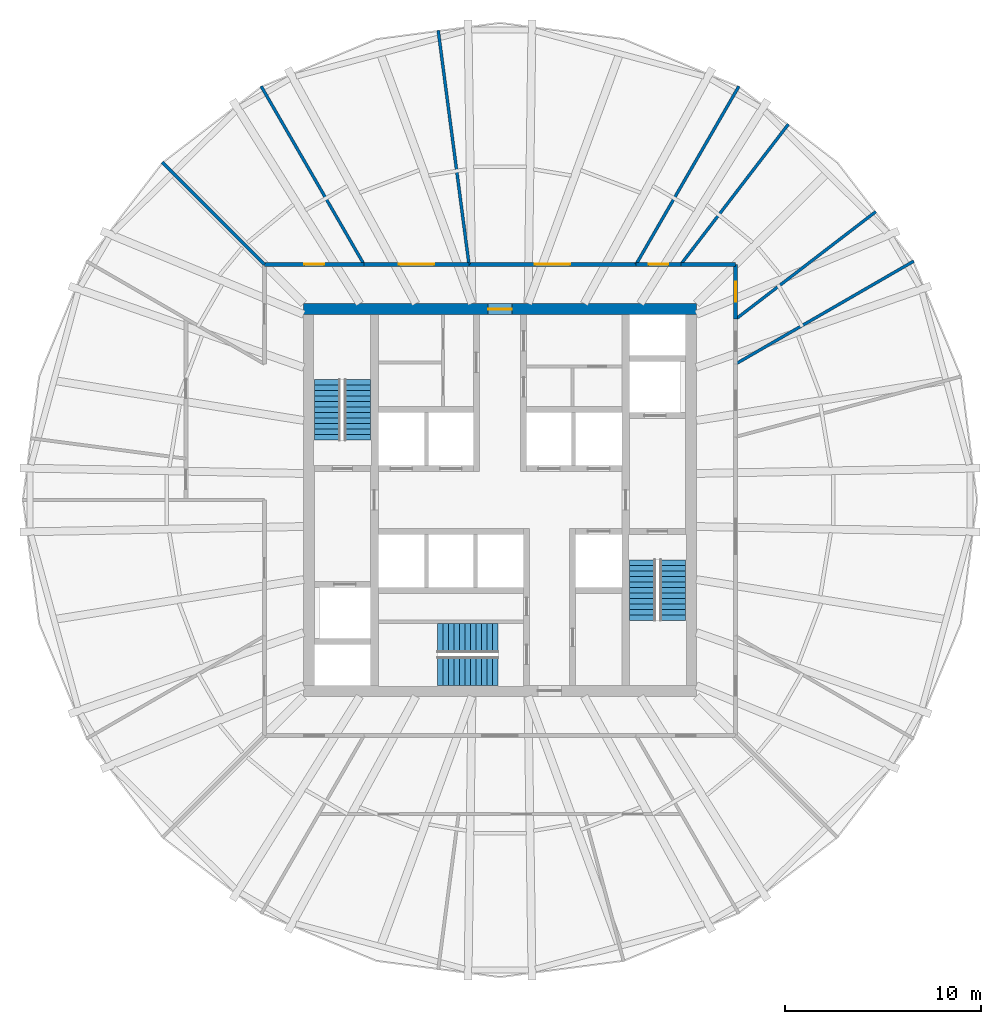
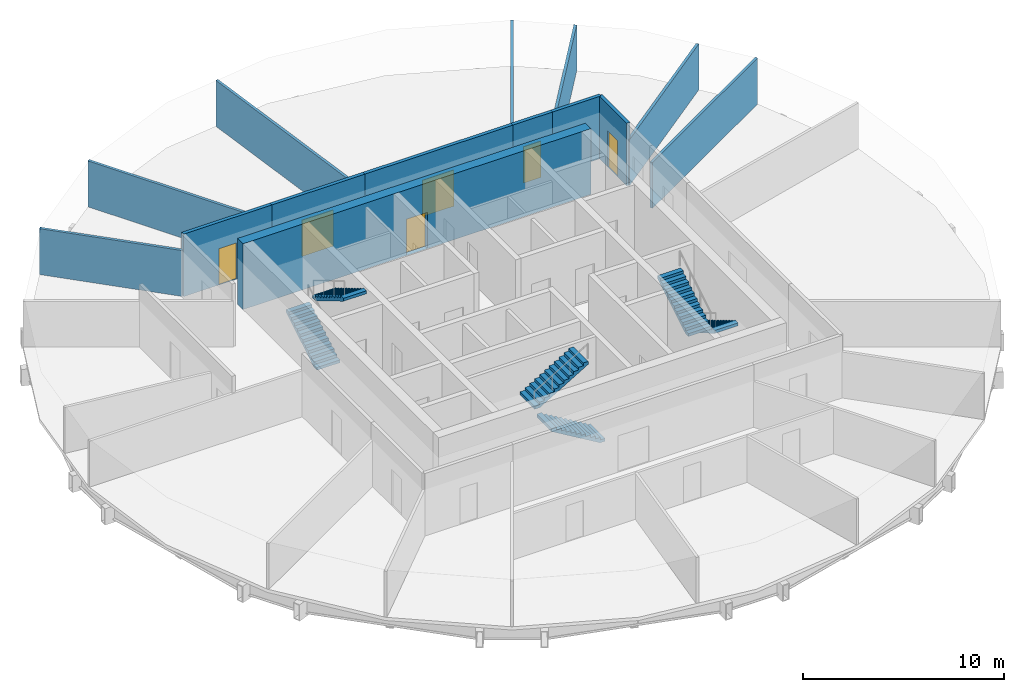
# One storey, part 5 of 6: 14 walls, 6 doors, 6 stair flights, 6 openings, 3 elements without a shape of their own.
"""IFC4 building model written with IfcOpenShell, lengths in metres."""

from ifc_helpers import new_model, si_unit, direction, frame, frame_2d, origin, place, context, subcontext, project, spatial, polyline, rectangle, outline, extrude, material, layer, layer_set, type_object, element, fill, aggregate, save


model = new_model("IFC4")

# Units and contexts
model_context = context("Model", 3, precision=1e-05, world=origin(), true_north=direction((0.0, 1.0)))
body_context = subcontext(model_context, "Body", "Model", "MODEL_VIEW")
ifc_project = project(units=[si_unit("LENGTHUNIT", "METRE"), si_unit("AREAUNIT", "SQUARE_METRE"), si_unit("VOLUMEUNIT", "CUBIC_METRE"), si_unit("PLANEANGLEUNIT", "RADIAN"), si_unit("MASSUNIT", "GRAM", prefix="KILO")], contexts=[model_context])

# Site, building, storey
site_placement = place(None, origin())
site = spatial("IfcSite", under=ifc_project, at=site_placement, CompositionType="ELEMENT")
building_placement = place(site_placement, origin())
building = spatial("IfcBuilding", under=site, at=building_placement, Name="Golbaran Civic Tower", CompositionType="ELEMENT")
storey_placement = place(building_placement, frame((0.0, 0.0, 146.0)))
storey = spatial("IfcBuildingStorey", under=building, at=storey_placement, Name="L35", CompositionType="ELEMENT", Elevation=146.0)

# Wall, opening, door
ifc_material_1 = material(Name="Concrete C50/60", Category="concrete")
ifc_layer_1 = layer(ifc_material_1, 0.550048828125, Name="Concrete C50/60")
ifc_layer_set_1 = layer_set([ifc_layer_1], Name="Concrete C50/60")
wall_type_1 = type_object("IfcWallType", Name="CORE WALL CONCRETE 550", PredefinedType="SOLIDWALL", material=ifc_layer_set_1)
wall_1_placement = place(storey_placement, frame((-10.0, 9.72509765625, 0.0), z_axis=(0.0, 0.0, 1.0), x_axis=(1.0, 0.0, 0.0)))
wall_1 = element("IfcWall", 1, at=wall_1_placement, inside=storey, type_object=wall_type_1, Name="Core wall CN L35", PredefinedType="SOLIDWALL", context=body_context, shape_type="SweptSolid", body=[
    extrude(rectangle(XDim=20.0, YDim=0.550048828125, at=frame_2d((10.0, 0.0))), origin(), (0.0, 0.0, 1.0), 4.0),
])
opening_1_placement = place(wall_1_placement, frame((9.39990234375, 0.0, 0.0)))
opening_1 = element("IfcOpeningElement", 2, at=opening_1_placement, cuts=wall_1, Name="Opening L35.CN", PredefinedType="OPENING", context=body_context, shape_type="SweptSolid", body=[
    extrude(rectangle(XDim=1.199951171875, YDim=2.199951171875, at=frame_2d((0.60009765625, 1.10009765625))), frame((0.0, 0.284912109375, 0.0), z_axis=(0.0, -1.0, 0.0), x_axis=(1.0, 0.0, 0.0)), (0.0, 0.0, 1.0), 0.570068359375),
])
ifc_material_2 = material(Name="Timber door set in steel frame", Category="steel")
door_type_1 = type_object("IfcDoorType", Name="CORE DOOR 1200x2200", OperationType="DOUBLE_DOOR_SINGLE_SWING", PredefinedType="DOOR", material=ifc_material_2)
door_1_placement = place(opening_1_placement, origin())
door_1 = element("IfcDoor", 3, at=door_1_placement, inside=storey, type_object=door_type_1, Name="Core door north", OperationType="DOUBLE_DOOR_SINGLE_SWING", OverallHeight=2.199951171875, OverallWidth=1.199951171875, PredefinedType="DOOR", context=body_context, shape_type="SweptSolid", body=[
    extrude(rectangle(XDim=1.199951171875, YDim=2.199951171875, at=frame_2d((0.60009765625, 1.10009765625))), frame((0.0, 0.02490234375, 0.0), z_axis=(0.0, -1.0, 0.0), x_axis=(1.0, 0.0, 0.0)), (0.0, 0.0, 1.0), 0.050048828125),
])
fill(opening_1, door_1)

ifc_material_3 = material(Name="Gypsum board on steel studs, fire-rated", Category="steel")
ifc_layer_2 = layer(ifc_material_3, 0.199951171875, Name="Gypsum board on steel studs, fire-rated")
ifc_layer_set_2 = layer_set([ifc_layer_2], Name="Gypsum board on steel studs, fire-rated")
wall_type_2 = type_object("IfcWallType", Name="CORRIDOR WALL 200", PredefinedType="PARTITIONING", material=ifc_layer_set_2)
wall_2_placement = place(storey_placement, frame((12.0, 9.2080078125, 0.0), z_axis=(0.0, 0.0, 1.0), x_axis=(0.0, 1.0, 0.0)))
wall_2 = element("IfcWall", 4, at=wall_2_placement, inside=storey, type_object=wall_type_2, Name="Corridor wall L35", PredefinedType="PARTITIONING", context=body_context, shape_type="SweptSolid", body=[
    extrude(rectangle(XDim=2.7919921875, YDim=0.199951171875, at=frame_2d((1.39599609375, 0.0))), origin(), (0.0, 0.0, 1.0), 3.800048828125),
])
opening_2_placement = place(wall_2_placement, frame((0.89599609375, 0.0, 0.0)))
opening_2 = element("IfcOpeningElement", 5, at=opening_2_placement, cuts=wall_2, Name="Opening L35.10", PredefinedType="OPENING", context=body_context, shape_type="SweptSolid", body=[
    extrude(rectangle(XDim=1.0, YDim=2.199951171875, at=frame_2d((0.5, 1.10009765625))), frame((0.0, 0.10986328125, 0.0), z_axis=(0.0, -1.0, 0.0), x_axis=(1.0, 0.0, 0.0)), (0.0, 0.0, 1.0), 0.219970703125),
])
door_type_2 = type_object("IfcDoorType", Name="OFFICE DOOR 1000x2200", OperationType="SINGLE_SWING_LEFT", PredefinedType="DOOR", material=ifc_material_2)
door_2_placement = place(opening_2_placement, origin())
door_2 = element("IfcDoor", 6, at=door_2_placement, inside=storey, type_object=door_type_2, Name="Prayer Room door L35", OperationType="SINGLE_SWING_LEFT", OverallHeight=2.199951171875, OverallWidth=1.0, PredefinedType="DOOR", context=body_context, shape_type="SweptSolid", body=[
    extrude(rectangle(XDim=1.0, YDim=2.199951171875, at=frame_2d((0.5, 1.10009765625))), frame((0.0, 0.02490234375, 0.0), z_axis=(0.0, -1.0, 0.0), x_axis=(1.0, 0.0, 0.0)), (0.0, 0.0, 1.0), 0.050048828125),
])
fill(opening_2, door_2)

# Wall
wall_3_placement = place(storey_placement, frame((12.0, 12.0, 0.0), z_axis=(0.0, 0.0, 1.0), x_axis=(-1.0, 0.0, 0.0)))
element("IfcWall", 7, at=wall_3_placement, inside=storey, type_object=wall_type_2, Name="Corridor wall L35", PredefinedType="PARTITIONING", context=body_context, shape_type="SweptSolid", body=[
    extrude(rectangle(XDim=2.7919921875, YDim=0.199951171875, at=frame_2d((1.39599609375, 0.0))), origin(), (0.0, 0.0, 1.0), 3.800048828125),
])

# Wall, opening, door
wall_4_placement = place(storey_placement, frame((9.2080078125, 12.0, 0.0), z_axis=(0.0, 0.0, 1.0), x_axis=(-1.0, 0.0, 0.0)))
wall_4 = element("IfcWall", 8, at=wall_4_placement, inside=storey, type_object=wall_type_2, Name="Corridor wall L35", PredefinedType="PARTITIONING", context=body_context, shape_type="SweptSolid", body=[
    extrude(rectangle(XDim=2.27978515625, YDim=0.199951171875, at=frame_2d((1.139892578125, 0.0))), origin(), (0.0, 0.0, 1.0), 3.800048828125),
])
opening_3_placement = place(wall_4_placement, frame((0.639892578125, 0.0, 0.0)))
opening_3 = element("IfcOpeningElement", 9, at=opening_3_placement, cuts=wall_4, Name="Opening L35.11", PredefinedType="OPENING", context=body_context, shape_type="SweptSolid", body=[
    extrude(rectangle(XDim=1.0, YDim=2.199951171875, at=frame_2d((0.5, 1.10009765625))), frame((0.0, 0.10986328125, 0.0), z_axis=(0.0, -1.0, 0.0), x_axis=(1.0, 0.0, 0.0)), (0.0, 0.0, 1.0), 0.219970703125),
])
door_3_placement = place(opening_3_placement, origin())
door_3 = element("IfcDoor", 10, at=door_3_placement, inside=storey, type_object=door_type_2, Name="Store door L35", OperationType="SINGLE_SWING_RIGHT", OverallHeight=2.199951171875, OverallWidth=1.0, PredefinedType="DOOR", context=body_context, shape_type="SweptSolid", body=[
    extrude(rectangle(XDim=1.0, YDim=2.199951171875, at=frame_2d((0.5, 1.10009765625))), frame((0.0, 0.02490234375, 0.0), z_axis=(0.0, -1.0, 0.0), x_axis=(1.0, 0.0, 0.0)), (0.0, 0.0, 1.0), 0.050048828125),
])
fill(opening_3, door_3)

wall_5_placement = place(storey_placement, frame((6.92822265625, 12.0, 0.0), z_axis=(0.0, 0.0, 1.0), x_axis=(-1.0, 0.0, 0.0)))
wall_5 = element("IfcWall", 11, at=wall_5_placement, inside=storey, type_object=wall_type_2, Name="Corridor wall L35", PredefinedType="PARTITIONING", context=body_context, shape_type="SweptSolid", body=[
    extrude(rectangle(XDim=8.508056640625, YDim=0.199951171875, at=frame_2d((4.25390625, 0.0))), origin(), (0.0, 0.0, 1.0), 3.800048828125),
])
opening_4_placement = place(wall_5_placement, frame((3.35400390625, 0.0, 0.0)))
opening_4 = element("IfcOpeningElement", 12, at=opening_4_placement, cuts=wall_5, Name="Opening L35.12", PredefinedType="OPENING", context=body_context, shape_type="SweptSolid", body=[
    extrude(rectangle(XDim=1.800048828125, YDim=2.199951171875, at=frame_2d((0.89990234375, 1.10009765625))), frame((0.0, 0.10986328125, 0.0), z_axis=(0.0, -1.0, 0.0), x_axis=(1.0, 0.0, 0.0)), (0.0, 0.0, 1.0), 0.219970703125),
])
door_type_3 = type_object("IfcDoorType", Name="OFFICE DOUBLE DOOR 1800x2200", OperationType="DOUBLE_DOOR_SINGLE_SWING", PredefinedType="DOOR", material=ifc_material_2)
door_4_placement = place(opening_4_placement, origin())
door_4 = element("IfcDoor", 13, at=door_4_placement, inside=storey, type_object=door_type_3, Name="Open Office door L35", OperationType="DOUBLE_DOOR_SINGLE_SWING", OverallHeight=2.199951171875, OverallWidth=1.800048828125, PredefinedType="DOOR", context=body_context, shape_type="SweptSolid", body=[
    extrude(rectangle(XDim=1.800048828125, YDim=2.199951171875, at=frame_2d((0.89990234375, 1.10009765625))), frame((0.0, 0.02490234375, 0.0), z_axis=(0.0, -1.0, 0.0), x_axis=(1.0, 0.0, 0.0)), (0.0, 0.0, 1.0), 0.050048828125),
])
fill(opening_4, door_4)

wall_6_placement = place(storey_placement, frame((-1.579833984375, 12.0, 0.0), z_axis=(0.0, 0.0, 1.0), x_axis=(-1.0, 0.0, 0.0)))
wall_6 = element("IfcWall", 14, at=wall_6_placement, inside=storey, type_object=wall_type_2, Name="Corridor wall L35", PredefinedType="PARTITIONING", context=body_context, shape_type="SweptSolid", body=[
    extrude(rectangle(XDim=5.348388671875, YDim=0.199951171875, at=frame_2d((2.67431640625, 0.0))), origin(), (0.0, 0.0, 1.0), 3.800048828125),
])
opening_5_placement = place(wall_6_placement, frame((1.774169921875, 0.0, 0.0)))
opening_5 = element("IfcOpeningElement", 15, at=opening_5_placement, cuts=wall_6, Name="Opening L35.13", PredefinedType="OPENING", context=body_context, shape_type="SweptSolid", body=[
    extrude(rectangle(XDim=1.800048828125, YDim=2.199951171875, at=frame_2d((0.89990234375, 1.10009765625))), frame((0.0, 0.10986328125, 0.0), z_axis=(0.0, -1.0, 0.0), x_axis=(1.0, 0.0, 0.0)), (0.0, 0.0, 1.0), 0.219970703125),
])
door_5_placement = place(opening_5_placement, origin())
door_5 = element("IfcDoor", 16, at=door_5_placement, inside=storey, type_object=door_type_3, Name="Open Office door L35", OperationType="DOUBLE_DOOR_SINGLE_SWING", OverallHeight=2.199951171875, OverallWidth=1.800048828125, PredefinedType="DOOR", context=body_context, shape_type="SweptSolid", body=[
    extrude(rectangle(XDim=1.800048828125, YDim=2.199951171875, at=frame_2d((0.89990234375, 1.10009765625))), frame((0.0, 0.02490234375, 0.0), z_axis=(0.0, -1.0, 0.0), x_axis=(1.0, 0.0, 0.0)), (0.0, 0.0, 1.0), 0.050048828125),
])
fill(opening_5, door_5)

wall_7_placement = place(storey_placement, frame((-6.92822265625, 12.0, 0.0), z_axis=(0.0, 0.0, 1.0), x_axis=(-1.0, 0.0, 0.0)))
wall_7 = element("IfcWall", 17, at=wall_7_placement, inside=storey, type_object=wall_type_2, Name="Corridor wall L35", PredefinedType="PARTITIONING", context=body_context, shape_type="SweptSolid", body=[
    extrude(rectangle(XDim=5.07177734375, YDim=0.199951171875, at=frame_2d((2.535888671875, 0.0))), origin(), (0.0, 0.0, 1.0), 3.800048828125),
])
opening_6_placement = place(wall_7_placement, frame((2.035888671875, 0.0, 0.0)))
opening_6 = element("IfcOpeningElement", 18, at=opening_6_placement, cuts=wall_7, Name="Opening L35.14", PredefinedType="OPENING", context=body_context, shape_type="SweptSolid", body=[
    extrude(rectangle(XDim=1.0, YDim=2.199951171875, at=frame_2d((0.5, 1.10009765625))), frame((0.0, 0.10986328125, 0.0), z_axis=(0.0, -1.0, 0.0), x_axis=(1.0, 0.0, 0.0)), (0.0, 0.0, 1.0), 0.219970703125),
])
door_6_placement = place(opening_6_placement, origin())
door_6 = element("IfcDoor", 19, at=door_6_placement, inside=storey, type_object=door_type_2, Name="Interview Room door L35", OperationType="SINGLE_SWING_RIGHT", OverallHeight=2.199951171875, OverallWidth=1.0, PredefinedType="DOOR", context=body_context, shape_type="SweptSolid", body=[
    extrude(rectangle(XDim=1.0, YDim=2.199951171875, at=frame_2d((0.5, 1.10009765625))), frame((0.0, 0.02490234375, 0.0), z_axis=(0.0, -1.0, 0.0), x_axis=(1.0, 0.0, 0.0)), (0.0, 0.0, 1.0), 0.050048828125),
])
fill(opening_6, door_6)

# Walls
ifc_material_4 = material(Name="Gypsum board on steel studs", Category="steel")
ifc_layer_3 = layer(ifc_material_4, 0.14990234375, Name="Gypsum board on steel studs")
ifc_layer_set_3 = layer_set([ifc_layer_3], Name="Gypsum board on steel studs")
wall_type_3 = type_object("IfcWallType", Name="OFFICE PARTITION 150", PredefinedType="PARTITIONING", material=ifc_layer_set_3)
wall_8_placement = place(storey_placement, frame((12.0, 6.92822265625, 0.0), z_axis=(0.0, 0.0, 1.0), x_axis=(0.866029212144, 0.49999340367, 0.0)))
element("IfcWall", 20, at=wall_8_placement, inside=storey, type_object=wall_type_3, Name="Partition 30 L35", PredefinedType="PARTITIONING", context=body_context, shape_type="SweptSolid", body=[
    extrude(rectangle(XDim=10.477783203125, YDim=0.14990234375, at=frame_2d((5.23876953125, 0.0))), origin(), (0.0, 0.0, 1.0), 2.7900390625),
])
for number, where, z_axis, x_axis, name in (
    (21, (12.0, 9.2080078125, 0.0), (0.0, 0.0, 1.0), (0.79335350297, 0.608761217002, 0.0), "Partition 37.5 L35"),
    (22, (9.2080078125, 12.0, 0.0), (0.0, 0.0, 1.0), (0.608761217002, 0.79335350297, 0.0), "Partition 52.5 L35"),
):
    element("IfcWall", number, at=place(storey_placement, frame(where, z_axis=z_axis, x_axis=x_axis)), inside=storey, type_object=wall_type_3, Name=name, PredefinedType="PARTITIONING", context=body_context, shape_type="SweptSolid", body=[
        extrude(rectangle(XDim=9.000244140625, YDim=0.14990234375, at=frame_2d((4.5, 0.0))), origin(), (0.0, 0.0, 1.0), 2.7900390625),
    ])
wall_9_placement = place(storey_placement, frame((6.92822265625, 12.0, 0.0), z_axis=(0.0, 0.0, 1.0), x_axis=(0.49999340367, 0.866029212144, 0.0)))
element("IfcWall", 23, at=wall_9_placement, inside=storey, type_object=wall_type_3, Name="Partition 60 L35", PredefinedType="PARTITIONING", context=body_context, shape_type="SweptSolid", body=[
    extrude(rectangle(XDim=10.477783203125, YDim=0.14990234375, at=frame_2d((5.23876953125, 0.0))), origin(), (0.0, 0.0, 1.0), 2.7900390625),
])
wall_10_placement = place(storey_placement, frame((-1.579833984375, 12.0, 0.0), z_axis=(0.0, 0.0, 1.0), x_axis=(-0.130532781527, 0.991443993853, 0.0)))
element("IfcWall", 24, at=wall_10_placement, inside=storey, type_object=wall_type_3, Name="Partition 97.5 L35", PredefinedType="PARTITIONING", context=body_context, shape_type="SweptSolid", body=[
    extrude(rectangle(XDim=12.0224609375, YDim=0.14990234375, at=frame_2d((6.01123046875, 0.0))), origin(), (0.0, 0.0, 1.0), 2.7900390625),
])
wall_11_placement = place(storey_placement, frame((-6.92822265625, 12.0, 0.0), z_axis=(0.0, 0.0, 1.0), x_axis=(-0.49999340367, 0.866029212144, 0.0)))
element("IfcWall", 25, at=wall_11_placement, inside=storey, type_object=wall_type_3, Name="Partition 120 L35", PredefinedType="PARTITIONING", context=body_context, shape_type="SweptSolid", body=[
    extrude(rectangle(XDim=10.477783203125, YDim=0.14990234375, at=frame_2d((5.23876953125, 0.0))), origin(), (0.0, 0.0, 1.0), 2.7900390625),
])
wall_12_placement = place(storey_placement, frame((-12.0, 12.0, 0.0), z_axis=(0.0, 0.0, 1.0), x_axis=(-0.707106781187, 0.707106781187, 0.0)))
element("IfcWall", 26, at=wall_12_placement, inside=storey, type_object=wall_type_3, Name="Partition 135 L35", PredefinedType="PARTITIONING", context=body_context, shape_type="SweptSolid", body=[
    extrude(rectangle(XDim=7.363525390625, YDim=0.14990234375, at=frame_2d((3.681640625, 0.0))), origin(), (0.0, 0.0, 1.0), 2.7900390625),
])

# Stair, stair flights
ifc_material_5 = material(Name="Concrete C35/45", Category="concrete")
stair_type_1 = type_object("IfcStairType", Name="EXIT STAIR 2850 x 7700, 4000 RISE", PredefinedType="HALF_TURN_STAIR", material=ifc_material_5)
stair_1_placement = place(storey_placement, origin())
stair_1 = element("IfcStair", 27, at=stair_1_placement, inside=storey, type_object=stair_type_1, Name="Stair S1 L35", PredefinedType="HALF_TURN_STAIR")
stair_flight_type_1 = type_object("IfcStairFlightType", Name="STAIR FLIGHT 1325 WIDE", PredefinedType="STRAIGHT", material=ifc_material_5)
stair_flight_1_placement = place(storey_placement, frame((-8.78759765625, 3.050048828125, 0.0), z_axis=(0.0, 0.0, 1.0), x_axis=(0.0, 1.0, 0.0)))
stair_flight_1 = element("IfcStairFlight", 28, at=stair_flight_1_placement, type_object=stair_flight_type_1, Name="ST28577-40 flight 1", NumberOfRisers=12, NumberOfTreads=11, PredefinedType="STRAIGHT", RiserHeight=0.166666667, TreadLength=0.28, context=body_context, shape_type="SweptSolid", body=[
    extrude(outline(polyline([(0.0, 0.0), (0.0, 0.166748046875), (0.280029296875, 0.166748046875), (0.280029296875, 0.333251953125), (0.56005859375, 0.333251953125), (0.56005859375, 0.5), (0.840087890625, 0.5), (0.840087890625, 0.666748046875), (1.1201171875, 0.666748046875), (1.1201171875, 0.833251953125), (1.39990234375, 0.833251953125), (1.39990234375, 1.0), (1.679931640625, 1.0), (1.679931640625, 1.166748046875), (1.9599609375, 1.166748046875), (1.9599609375, 1.333251953125), (2.239990234375, 1.333251953125), (2.239990234375, 1.5), (2.52001953125, 1.5), (2.52001953125, 1.666748046875), (2.800048828125, 1.666748046875), (2.800048828125, 1.833251953125), (3.080078125, 1.833251953125), (3.080078125, 2.0), (3.080078125, 1.658935546875), (0.29296875, 0.0), (0.0, 0.0)])), frame((0.0, 0.66259765625, 0.0), z_axis=(0.0, -1.0, 0.0), x_axis=(1.0, 0.0, 0.0)), (0.0, 0.0, 1.0), 1.324951171875),
])
stair_flight_2_placement = place(storey_placement, frame((-7.262451171875, 6.1298828125, 2.0), z_axis=(0.0, 0.0, 1.0), x_axis=(0.0, -1.0, 0.0)))
stair_flight_2 = element("IfcStairFlight", 29, at=stair_flight_2_placement, type_object=stair_flight_type_1, Name="ST28577-40 flight 2", NumberOfRisers=12, NumberOfTreads=11, PredefinedType="STRAIGHT", RiserHeight=0.166666667, TreadLength=0.28, context=body_context, shape_type="SweptSolid", body=[
    extrude(outline(polyline([(0.0, 0.0), (0.0, 0.166748046875), (0.280029296875, 0.166748046875), (0.280029296875, 0.333251953125), (0.56005859375, 0.333251953125), (0.56005859375, 0.5), (0.840087890625, 0.5), (0.840087890625, 0.666748046875), (1.1201171875, 0.666748046875), (1.1201171875, 0.833251953125), (1.39990234375, 0.833251953125), (1.39990234375, 1.0), (1.679931640625, 1.0), (1.679931640625, 1.166748046875), (1.9599609375, 1.166748046875), (1.9599609375, 1.333251953125), (2.239990234375, 1.333251953125), (2.239990234375, 1.5), (2.52001953125, 1.5), (2.52001953125, 1.666748046875), (2.800048828125, 1.666748046875), (2.800048828125, 1.833251953125), (3.080078125, 1.833251953125), (3.080078125, 2.0), (3.080078125, 1.658935546875), (0.29296875, 0.0), (0.0, 0.0)])), frame((0.0, 0.66259765625, 0.0), z_axis=(0.0, -1.0, 0.0), x_axis=(1.0, 0.0, 0.0)), (0.0, 0.0, 1.0), 1.324951171875),
])
aggregate(stair_1, [stair_flight_1, stair_flight_2])

stair_2_placement = place(storey_placement, origin())
stair_2 = element("IfcStair", 30, at=stair_2_placement, inside=storey, type_object=stair_type_1, Name="Stair S2 L35", PredefinedType="HALF_TURN_STAIR")
stair_flight_3_placement = place(storey_placement, frame((8.78759765625, -3.050048828125, 0.0), z_axis=(0.0, 0.0, 1.0), x_axis=(0.0, -1.0, 0.0)))
stair_flight_3 = element("IfcStairFlight", 31, at=stair_flight_3_placement, type_object=stair_flight_type_1, Name="ST28577-40 flight 1", NumberOfRisers=12, NumberOfTreads=11, PredefinedType="STRAIGHT", RiserHeight=0.166666667, TreadLength=0.28, context=body_context, shape_type="SweptSolid", body=[
    extrude(outline(polyline([(0.0, 0.0), (0.0, 0.166748046875), (0.280029296875, 0.166748046875), (0.280029296875, 0.333251953125), (0.56005859375, 0.333251953125), (0.56005859375, 0.5), (0.840087890625, 0.5), (0.840087890625, 0.666748046875), (1.1201171875, 0.666748046875), (1.1201171875, 0.833251953125), (1.39990234375, 0.833251953125), (1.39990234375, 1.0), (1.679931640625, 1.0), (1.679931640625, 1.166748046875), (1.9599609375, 1.166748046875), (1.9599609375, 1.333251953125), (2.239990234375, 1.333251953125), (2.239990234375, 1.5), (2.52001953125, 1.5), (2.52001953125, 1.666748046875), (2.800048828125, 1.666748046875), (2.800048828125, 1.833251953125), (3.080078125, 1.833251953125), (3.080078125, 2.0), (3.080078125, 1.658935546875), (0.29296875, 0.0), (0.0, 0.0)])), frame((0.0, 0.66259765625, 0.0), z_axis=(0.0, -1.0, 0.0), x_axis=(1.0, 0.0, 0.0)), (0.0, 0.0, 1.0), 1.324951171875),
])
stair_flight_4_placement = place(storey_placement, frame((7.262451171875, -6.1298828125, 2.0), z_axis=(0.0, 0.0, 1.0), x_axis=(0.0, 1.0, 0.0)))
stair_flight_4 = element("IfcStairFlight", 32, at=stair_flight_4_placement, type_object=stair_flight_type_1, Name="ST28577-40 flight 2", NumberOfRisers=12, NumberOfTreads=11, PredefinedType="STRAIGHT", RiserHeight=0.166666667, TreadLength=0.28, context=body_context, shape_type="SweptSolid", body=[
    extrude(outline(polyline([(0.0, 0.0), (0.0, 0.166748046875), (0.280029296875, 0.166748046875), (0.280029296875, 0.333251953125), (0.56005859375, 0.333251953125), (0.56005859375, 0.5), (0.840087890625, 0.5), (0.840087890625, 0.666748046875), (1.1201171875, 0.666748046875), (1.1201171875, 0.833251953125), (1.39990234375, 0.833251953125), (1.39990234375, 1.0), (1.679931640625, 1.0), (1.679931640625, 1.166748046875), (1.9599609375, 1.166748046875), (1.9599609375, 1.333251953125), (2.239990234375, 1.333251953125), (2.239990234375, 1.5), (2.52001953125, 1.5), (2.52001953125, 1.666748046875), (2.800048828125, 1.666748046875), (2.800048828125, 1.833251953125), (3.080078125, 1.833251953125), (3.080078125, 2.0), (3.080078125, 1.658935546875), (0.29296875, 0.0), (0.0, 0.0)])), frame((0.0, 0.66259765625, 0.0), z_axis=(0.0, -1.0, 0.0), x_axis=(1.0, 0.0, 0.0)), (0.0, 0.0, 1.0), 1.324951171875),
])
aggregate(stair_2, [stair_flight_3, stair_flight_4])

stair_type_2 = type_object("IfcStairType", Name="EXIT STAIR 3150 x 7400, 4000 RISE", PredefinedType="HALF_TURN_STAIR", material=ifc_material_5)
stair_3_placement = place(storey_placement, origin())
stair_3 = element("IfcStair", 33, at=stair_3_placement, inside=storey, type_object=stair_type_2, Name="Stair S3 L35", PredefinedType="HALF_TURN_STAIR")
stair_flight_type_2 = type_object("IfcStairFlightType", Name="STAIR FLIGHT 1475 WIDE", PredefinedType="STRAIGHT", material=ifc_material_5)
stair_flight_5_placement = place(storey_placement, frame((-0.10009765625, -8.71240234375, 0.0), z_axis=(0.0, 0.0, 1.0), x_axis=(-1.0, 0.0, 0.0)))
stair_flight_5 = element("IfcStairFlight", 34, at=stair_flight_5_placement, type_object=stair_flight_type_2, Name="ST31574-40 flight 1", NumberOfRisers=12, NumberOfTreads=11, PredefinedType="STRAIGHT", RiserHeight=0.166666667, TreadLength=0.28, context=body_context, shape_type="SweptSolid", body=[
    extrude(outline(polyline([(0.0, 0.0), (0.0, 0.166748046875), (0.280029296875, 0.166748046875), (0.280029296875, 0.333251953125), (0.56005859375, 0.333251953125), (0.56005859375, 0.5), (0.840087890625, 0.5), (0.840087890625, 0.666748046875), (1.1201171875, 0.666748046875), (1.1201171875, 0.833251953125), (1.39990234375, 0.833251953125), (1.39990234375, 1.0), (1.679931640625, 1.0), (1.679931640625, 1.166748046875), (1.9599609375, 1.166748046875), (1.9599609375, 1.333251953125), (2.239990234375, 1.333251953125), (2.239990234375, 1.5), (2.52001953125, 1.5), (2.52001953125, 1.666748046875), (2.800048828125, 1.666748046875), (2.800048828125, 1.833251953125), (3.080078125, 1.833251953125), (3.080078125, 2.0), (3.080078125, 1.658935546875), (0.29296875, 0.0), (0.0, 0.0)])), frame((0.0, 0.737548828125, 0.0), z_axis=(0.0, -1.0, 0.0), x_axis=(1.0, 0.0, 0.0)), (0.0, 0.0, 1.0), 1.47509765625),
])
stair_flight_6_placement = place(storey_placement, frame((-3.179931640625, -7.03759765625, 2.0), z_axis=(0.0, 0.0, 1.0), x_axis=(1.0, 0.0, 0.0)))
stair_flight_6 = element("IfcStairFlight", 35, at=stair_flight_6_placement, type_object=stair_flight_type_2, Name="ST31574-40 flight 2", NumberOfRisers=12, NumberOfTreads=11, PredefinedType="STRAIGHT", RiserHeight=0.166666667, TreadLength=0.28, context=body_context, shape_type="SweptSolid", body=[
    extrude(outline(polyline([(0.0, 0.0), (0.0, 0.166748046875), (0.280029296875, 0.166748046875), (0.280029296875, 0.333251953125), (0.56005859375, 0.333251953125), (0.56005859375, 0.5), (0.840087890625, 0.5), (0.840087890625, 0.666748046875), (1.1201171875, 0.666748046875), (1.1201171875, 0.833251953125), (1.39990234375, 0.833251953125), (1.39990234375, 1.0), (1.679931640625, 1.0), (1.679931640625, 1.166748046875), (1.9599609375, 1.166748046875), (1.9599609375, 1.333251953125), (2.239990234375, 1.333251953125), (2.239990234375, 1.5), (2.52001953125, 1.5), (2.52001953125, 1.666748046875), (2.800048828125, 1.666748046875), (2.800048828125, 1.833251953125), (3.080078125, 1.833251953125), (3.080078125, 2.0), (3.080078125, 1.658935546875), (0.29296875, 0.0), (0.0, 0.0)])), frame((0.0, 0.737548828125, 0.0), z_axis=(0.0, -1.0, 0.0), x_axis=(1.0, 0.0, 0.0)), (0.0, 0.0, 1.0), 1.47509765625),
])
aggregate(stair_3, [stair_flight_5, stair_flight_6])

save(model, "model.ifc")
